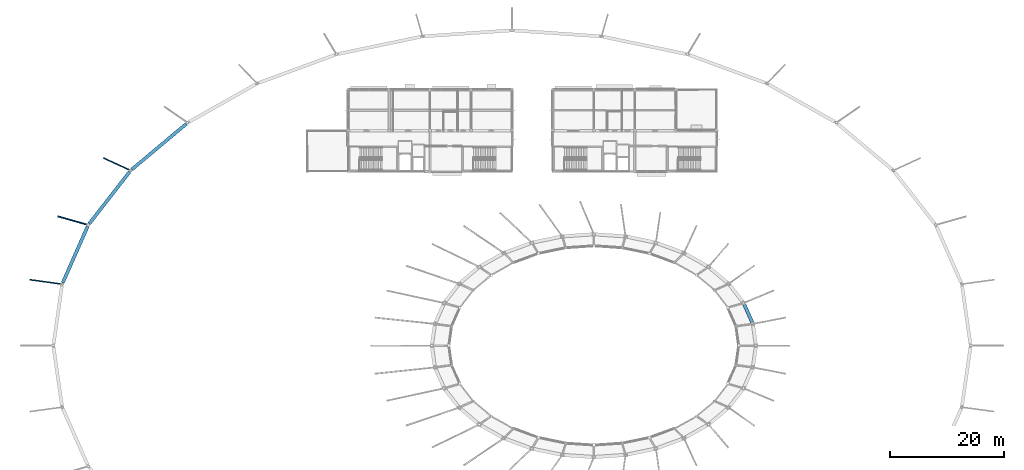
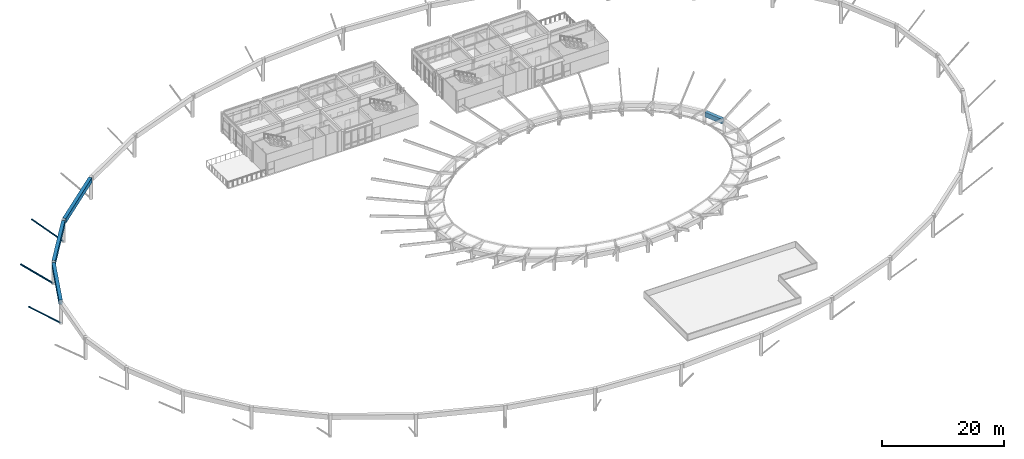
# One storey, part 4 of 37: 4 beams, 3 members.
"""IFC4 building model written with IfcOpenShell, lengths in metres."""

from ifc_helpers import new_model, si_unit, direction, frame, origin, origin_2d, place, context, subcontext, project, spatial, rectangle, hollow_circle, extrude, material, material_profile, profile_set, type_object, element, save


model = new_model("IFC4")

# Units and contexts
model_context = context("Model", 3, precision=1e-05, world=origin(), true_north=direction((0.0, 1.0)))
body_context = subcontext(model_context, "Body", "Model", "MODEL_VIEW")
ifc_project = project(units=[si_unit("LENGTHUNIT", "METRE"), si_unit("AREAUNIT", "SQUARE_METRE"), si_unit("VOLUMEUNIT", "CUBIC_METRE"), si_unit("PLANEANGLEUNIT", "RADIAN"), si_unit("MASSUNIT", "GRAM", prefix="KILO")], contexts=[model_context])

# Site, building, storey
site_placement = place(None, origin())
site = spatial("IfcSite", under=ifc_project, at=site_placement, CompositionType="ELEMENT")
building_placement = place(site_placement, origin())
building = spatial("IfcBuilding", under=site, at=building_placement, Name="Namkhue Oval Health Centre", CompositionType="ELEMENT")
storey_placement = place(building_placement, frame((0.0, 0.0, 22.199951171875)))
storey = spatial("IfcBuildingStorey", under=building, at=storey_placement, Name="L05", CompositionType="ELEMENT", Elevation=22.199951171875)

# Members
ifc_material_1 = material(Name="Structural steel EN 10025-2 S355JR (TCVN 5575:2024)", Category="steel")
ifc_material_profile_1 = material_profile(ifc_material_1, hollow_circle(Radius=0.136474609375, WallThickness=0.012451171875, at=origin_2d()), Name="CHS 273x12.5")
ifc_profile_set_1 = profile_set([ifc_material_profile_1], Name="Structural steel EN 10025-2 S355JR (TCVN 5575:2024)")
member_type_1 = type_object("IfcMemberType", Name="CANOPY STRUT CHS 273", PredefinedType="STRUT", material=ifc_profile_set_1)
member_1_placement = place(storey_placement, frame((19.3369140625, 90.20703125, 0.113525390625), z_axis=(-0.67310995721, 0.309199778933, 0.671802413075), x_axis=(-0.417425531748, -0.908711134214, 0.0)))
element("IfcMember", 1, at=member_1_placement, inside=storey, type_object=member_type_1, Name="Outer Overhang Tree-Branch Canopy Strut 14", PredefinedType="STRUT", context=body_context, shape_type="SweptSolid", body=[
    extrude(hollow_circle(Radius=0.136474609375, WallThickness=0.012451171875, at=origin_2d()), origin(), (0.0, 0.0, 1.0), 7.09521484375),
])
member_2_placement = place(storey_placement, frame((7.294189453125, 70.218017578125, 0.11279296875), z_axis=(-0.759257403261, 0.103802795307, 0.642458695388), x_axis=(-0.135456144533, -0.990783343072, 0.0)))
element("IfcMember", 2, at=member_2_placement, inside=storey, type_object=member_type_1, Name="Outer Overhang Tree-Branch Canopy Strut 16", PredefinedType="STRUT", context=body_context, shape_type="SweptSolid", body=[
    extrude(hollow_circle(Radius=0.136474609375, WallThickness=0.012451171875, at=origin_2d()), origin(), (0.0, 0.0, 1.0), 7.42041015625),
])
ifc_material_profile_2 = material_profile(ifc_material_1, hollow_circle(Radius=0.161865234375, WallThickness=0.012451171875, at=origin_2d()), Name="CHS 323.9x12.5")
ifc_profile_set_2 = profile_set([ifc_material_profile_2], Name="Structural steel EN 10025-2 S355JR (TCVN 5575:2024)")
member_type_2 = type_object("IfcMemberType", Name="CANOPY STRUT CHS 324", PredefinedType="STRUT", material=ifc_profile_set_2)
member_3_placement = place(storey_placement, frame((11.8837890625, 80.6201171875, 0.113037109375), z_axis=(-0.727776795173, 0.20724747491, 0.653750273844), x_axis=(-0.273879523741, -0.961764007683, 0.0)))
element("IfcMember", 3, at=member_3_placement, inside=storey, type_object=member_type_2, Name="Outer Overhang Tree-Branch Canopy Strut 15", PredefinedType="STRUT", context=body_context, shape_type="SweptSolid", body=[
    extrude(hollow_circle(Radius=0.161865234375, WallThickness=0.012451171875, at=origin_2d()), origin(), (0.0, 0.0, 1.0), 7.2919921875),
])

# Beams
ifc_material_2 = material(Name="Reinforced concrete C35/45 (TCVN B40)", Category="concrete")
ifc_material_profile_3 = material_profile(ifc_material_2, rectangle(XDim=0.60009765625, YDim=0.949951171875, at=origin_2d()), Name="RC 600x950")
ifc_profile_set_3 = profile_set([ifc_material_profile_3], Name="Reinforced concrete C35/45 (TCVN B40)")
beam_type = type_object("IfcBeamType", Name="RING GIRDER RC 600X950", PredefinedType="USERDEFINED", material=ifc_profile_set_3)
beam_1_placement = place(storey_placement, frame((29.14501953125, 98.406005859375, 4.025146484375), z_axis=(-0.766572565039, -0.642157692883, 0.0), x_axis=(0.642157692883, -0.766572565039, 0.0)))
element("IfcBeam", 4, at=beam_1_placement, inside=storey, type_object=beam_type, Name="Gridshell OR Concrete Ring Girder 13", ObjectType="GIRDER", PredefinedType="USERDEFINED", context=body_context, shape_type="SweptSolid", body=[
    extrude(rectangle(XDim=0.60009765625, YDim=0.949951171875, at=origin_2d()), origin(), (0.0, 0.0, 1.0), 12.472412109375),
])
beam_2_placement = place(storey_placement, frame((19.1630859375, 89.9599609375, 4.025146484375), z_axis=(-0.613782292741, -0.789475330278, 0.0), x_axis=(0.789475330278, -0.613782292741, 0.0)))
element("IfcBeam", 5, at=beam_2_placement, inside=storey, type_object=beam_type, Name="Gridshell OR Concrete Ring Girder 14", ObjectType="GIRDER", PredefinedType="USERDEFINED", context=body_context, shape_type="SweptSolid", body=[
    extrude(rectangle(XDim=0.60009765625, YDim=0.949951171875, at=origin_2d()), origin(), (0.0, 0.0, 1.0), 11.53076171875),
])
beam_3_placement = place(storey_placement, frame((11.775146484375, 80.3369140625, 4.025146484375), z_axis=(-0.403675407308, -0.914902271029, 0.0), x_axis=(0.914902271029, -0.403675407308, 0.0)))
element("IfcBeam", 6, at=beam_3_placement, inside=storey, type_object=beam_type, Name="Gridshell OR Concrete Ring Girder 15", ObjectType="GIRDER", PredefinedType="USERDEFINED", context=body_context, shape_type="SweptSolid", body=[
    extrude(rectangle(XDim=0.60009765625, YDim=0.949951171875, at=origin_2d()), origin(), (0.0, 0.0, 1.0), 10.757568359375),
])
beam_4_placement = place(storey_placement, frame((128.651123046875, 63.480224609375, 2.125), z_axis=(-0.403674955981, 0.914902470165, 0.0), x_axis=(-0.914902470165, -0.403674955981, 0.0)))
element("IfcBeam", 7, at=beam_4_placement, inside=storey, type_object=beam_type, Name="Gridshell IR Concrete Ring Girder 2", ObjectType="GIRDER", PredefinedType="USERDEFINED", context=body_context, shape_type="SweptSolid", body=[
    extrude(rectangle(XDim=0.60009765625, YDim=0.949951171875, at=origin_2d()), origin(), (0.0, 0.0, 1.0), 3.45947265625),
])

save(model, "model.ifc")
